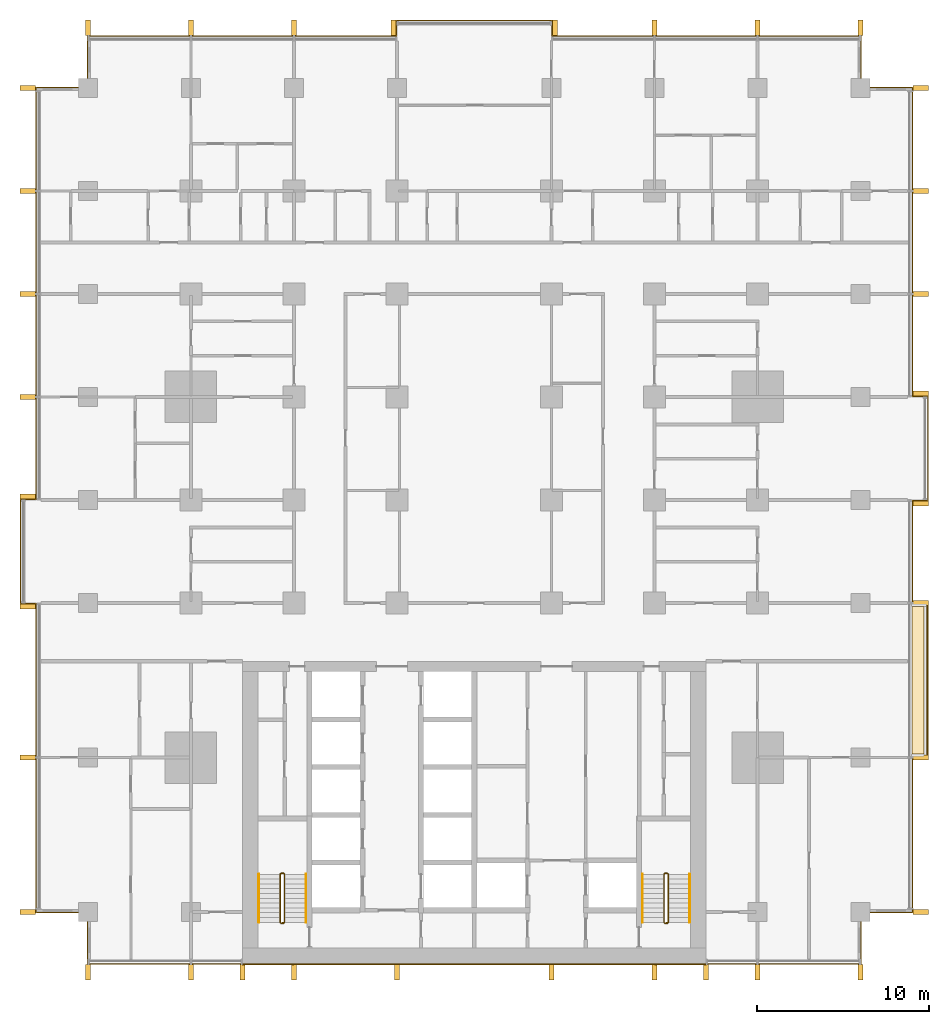
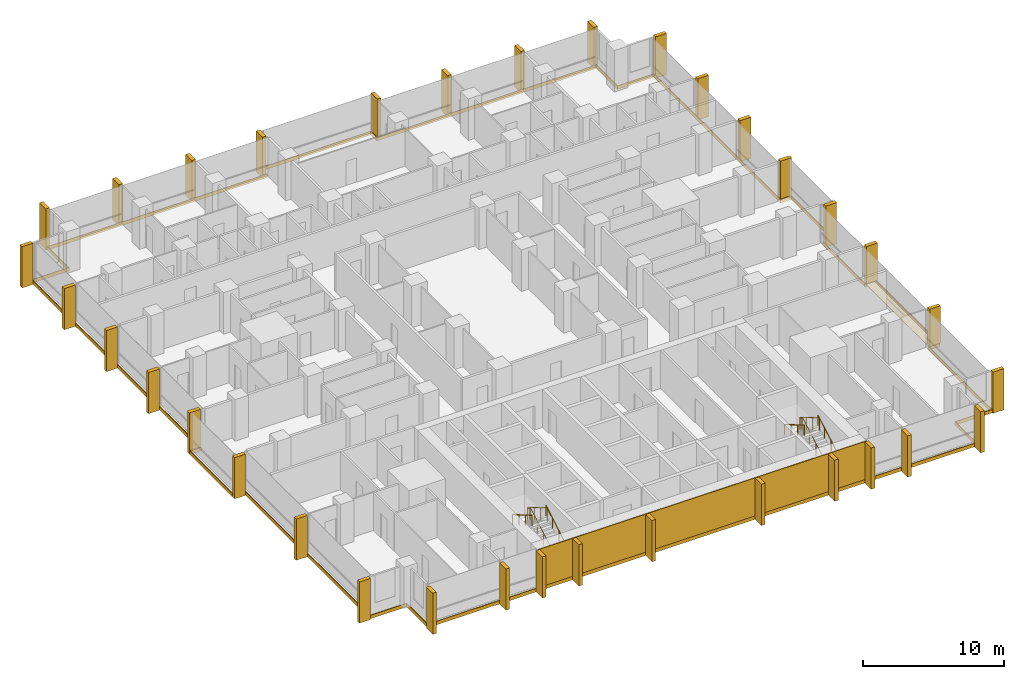
# One storey, part 18 of 18: 34 shading devices, 8 coverings, 6 railings.
"""IFC4 building model written with IfcOpenShell, lengths in metres."""

from ifc_helpers import new_model, si_unit, direction, frame, origin, origin_2d, place, context, subcontext, project, spatial, polyline, rectangle, circle, outline, extrude, material, layer, layer_set, type_object, element, save


model = new_model("IFC4")

# Units and contexts
model_context = context("Model", 3, precision=1e-05, world=origin(), true_north=direction((0.0, 1.0)))
body_context = subcontext(model_context, "Body", "Model", "MODEL_VIEW")
ifc_project = project(units=[si_unit("LENGTHUNIT", "METRE"), si_unit("AREAUNIT", "SQUARE_METRE"), si_unit("VOLUMEUNIT", "CUBIC_METRE"), si_unit("PLANEANGLEUNIT", "RADIAN"), si_unit("MASSUNIT", "GRAM", prefix="KILO")], contexts=[model_context])

# Site, building, storey
site_placement = place(None, origin())
site = spatial("IfcSite", under=ifc_project, at=site_placement, CompositionType="ELEMENT")
building_placement = place(site_placement, origin())
building = spatial("IfcBuilding", under=site, at=building_placement, Name="Finial Court Residences", CompositionType="ELEMENT")
storey_placement = place(building_placement, frame((0.0, 0.0, 50.5)))
storey = spatial("IfcBuildingStorey", under=building, at=storey_placement, Name="L11", CompositionType="ELEMENT", Elevation=50.5)

# Coverings
ifc_material_1 = material(Name="Natural limestone", Category="masonry")
ifc_layer_1 = layer(ifc_material_1, 0.06005859375)
ifc_layer_set_1 = layer_set([ifc_layer_1], Name="Limestone cladding to the blind core face 60")
covering_type_1 = type_object("IfcCoveringType", Name="Limestone cladding to the blind core face 60", PredefinedType="CLADDING", material=ifc_layer_set_1)
covering_1_placement = place(storey_placement, origin())
element("IfcCovering", 1, at=covering_1_placement, inside=storey, type_object=covering_type_1, Name="E-L11-CLAD1", PredefinedType="CLADDING", context=body_context, shape_type="SweptSolid", body=[
    extrude(outline(polyline([(-10.5, -25.56005859375), (-10.5, -25.5), (-13.5, -25.5), (-13.5, -25.56005859375), (-10.5, -25.56005859375)])), origin(), (0.0, 0.0, 1.0), 3.300048828125),
])
covering_2_placement = place(storey_placement, origin())
element("IfcCovering", 2, at=covering_2_placement, inside=storey, type_object=covering_type_1, Name="E-L11-CLAD2", PredefinedType="CLADDING", context=body_context, shape_type="SweptSolid", body=[
    extrude(outline(polyline([(-4.5, -25.56005859375), (-4.5, -25.5), (-10.5, -25.5), (-10.5, -25.56005859375), (-4.5, -25.56005859375)])), origin(), (0.0, 0.0, 1.0), 3.300048828125),
])
covering_3_placement = place(storey_placement, origin())
element("IfcCovering", 3, at=covering_3_placement, inside=storey, type_object=covering_type_1, Name="E-L11-CLAD3", PredefinedType="CLADDING", context=body_context, shape_type="SweptSolid", body=[
    extrude(outline(polyline([(4.5, -25.56005859375), (4.5, -25.5), (-4.5, -25.5), (-4.5, -25.56005859375), (4.5, -25.56005859375)])), origin(), (0.0, 0.0, 1.0), 3.300048828125),
])
covering_4_placement = place(storey_placement, origin())
element("IfcCovering", 4, at=covering_4_placement, inside=storey, type_object=covering_type_1, Name="E-L11-CLAD4", PredefinedType="CLADDING", context=body_context, shape_type="SweptSolid", body=[
    extrude(outline(polyline([(10.5, -25.56005859375), (10.5, -25.5), (4.5, -25.5), (4.5, -25.56005859375), (10.5, -25.56005859375)])), origin(), (0.0, 0.0, 1.0), 3.300048828125),
])
covering_5_placement = place(storey_placement, origin())
element("IfcCovering", 5, at=covering_5_placement, inside=storey, type_object=covering_type_1, Name="E-L11-CLAD5", PredefinedType="CLADDING", context=body_context, shape_type="SweptSolid", body=[
    extrude(outline(polyline([(13.5, -25.56005859375), (13.5, -25.5), (10.5, -25.5), (10.5, -25.56005859375), (13.5, -25.56005859375)])), origin(), (0.0, 0.0, 1.0), 3.300048828125),
])

# Shading devices
shading_device_type = type_object("IfcShadingDeviceType", Name="Limestone fin 300 x 900", PredefinedType="USERDEFINED", material=ifc_material_1)
for number, where, z_axis, x_axis, name in (
    (6, (-22.5, 29.010009765625, -0.300048828125), (0.0, 0.0, 1.0), (1.0, 0.0, 0.0), "E-L11-FIN-N1"),
    (7, (-16.5, 29.010009765625, -0.300048828125), (0.0, 0.0, 1.0), (1.0, 0.0, 0.0), "E-L11-FIN-N2"),
    (8, (-10.5, 29.010009765625, -0.300048828125), (0.0, 0.0, 1.0), (1.0, 0.0, 0.0), "E-L11-FIN-N3"),
    (9, (-4.7099609375, 29.010009765625, -0.300048828125), (0.0, 0.0, 1.0), (1.0, 0.0, 0.0), "E-L11-FIN-N4"),
    (10, (4.7099609375, 29.010009765625, -0.300048828125), (0.0, 0.0, 1.0), (1.0, 0.0, 0.0), "E-L11-FIN-N5"),
    (11, (10.5, 29.010009765625, -0.300048828125), (0.0, 0.0, 1.0), (1.0, 0.0, 0.0), "E-L11-FIN-N6"),
    (12, (16.5, 29.010009765625, -0.300048828125), (0.0, 0.0, 1.0), (1.0, 0.0, 0.0), "E-L11-FIN-N7"),
    (13, (22.5, 29.010009765625, -0.300048828125), (0.0, 0.0, 1.0), (1.0, 0.0, 0.0), "E-L11-FIN-N8"),
):
    element("IfcShadingDevice", number, at=place(storey_placement, frame(where, z_axis=z_axis, x_axis=x_axis)), inside=storey, type_object=shading_device_type, Name=name, ObjectType="FIN", PredefinedType="USERDEFINED", context=body_context, shape_type="SweptSolid", body=[
        extrude(rectangle(XDim=0.300048828125, YDim=0.89990234375, at=origin_2d()), origin(), (0.0, 0.0, 1.0), 3.580078125),
    ])
shading_device_placement = place(storey_placement, frame((26.010009765625, -22.5, -0.300048828125), z_axis=(0.0, 0.0, 1.0), x_axis=(1.0, 0.0, 0.0)))
element("IfcShadingDevice", 14, at=shading_device_placement, inside=storey, type_object=shading_device_type, Name="E-L11-FIN-E9", ObjectType="FIN", PredefinedType="USERDEFINED", context=body_context, shape_type="SweptSolid", body=[
    extrude(rectangle(XDim=0.89990234375, YDim=0.300048828125, at=origin_2d()), origin(), (0.0, 0.0, 1.0), 3.580078125),
])
for number, where, z_axis, x_axis, name in (
    (15, (26.010009765625, -13.5, 0.0400390625), (0.0, 0.0, 1.0), (1.0, 0.0, 0.0), "E-L11-FIN-E10"),
    (16, (26.010009765625, -4.5, 0.0400390625), (0.0, 0.0, 1.0), (1.0, 0.0, 0.0), "E-L11-FIN-E11"),
):
    element("IfcShadingDevice", number, at=place(storey_placement, frame(where, z_axis=z_axis, x_axis=x_axis)), inside=storey, type_object=shading_device_type, Name=name, ObjectType="FIN", PredefinedType="USERDEFINED", context=body_context, shape_type="SweptSolid", body=[
        extrude(rectangle(XDim=0.89990234375, YDim=0.300048828125, at=origin_2d()), origin(), (0.0, 0.0, 1.0), 3.239990234375),
    ])
for number, where, z_axis, x_axis, name in (
    (17, (26.010009765625, 1.2900390625, -0.300048828125), (0.0, 0.0, 1.0), (1.0, 0.0, 0.0), "E-L11-FIN-E12"),
    (18, (26.010009765625, 7.7099609375, -0.300048828125), (0.0, 0.0, 1.0), (1.0, 0.0, 0.0), "E-L11-FIN-E13"),
    (19, (26.010009765625, 13.5, -0.300048828125), (0.0, 0.0, 1.0), (1.0, 0.0, 0.0), "E-L11-FIN-E14"),
    (20, (26.010009765625, 19.5, -0.300048828125), (0.0, 0.0, 1.0), (1.0, 0.0, 0.0), "E-L11-FIN-E15"),
    (21, (26.010009765625, 25.5, -0.300048828125), (0.0, 0.0, 1.0), (1.0, 0.0, 0.0), "E-L11-FIN-E16"),
):
    element("IfcShadingDevice", number, at=place(storey_placement, frame(where, z_axis=z_axis, x_axis=x_axis)), inside=storey, type_object=shading_device_type, Name=name, ObjectType="FIN", PredefinedType="USERDEFINED", context=body_context, shape_type="SweptSolid", body=[
        extrude(rectangle(XDim=0.89990234375, YDim=0.300048828125, at=origin_2d()), origin(), (0.0, 0.0, 1.0), 3.580078125),
    ])
for number, where, z_axis, x_axis, name in (
    (22, (-22.5, -26.010009765625, -0.300048828125), (0.0, 0.0, 1.0), (1.0, 0.0, 0.0), "E-L11-FIN-S17"),
    (23, (-16.5, -26.010009765625, -0.300048828125), (0.0, 0.0, 1.0), (1.0, 0.0, 0.0), "E-L11-FIN-S18"),
    (24, (-13.5, -26.010009765625, -0.300048828125), (0.0, 0.0, 1.0), (1.0, 0.0, 0.0), "E-L11-FIN-S19"),
    (25, (-10.5, -26.010009765625, -0.300048828125), (0.0, 0.0, 1.0), (1.0, 0.0, 0.0), "E-L11-FIN-S20"),
    (26, (-4.5, -26.010009765625, -0.300048828125), (0.0, 0.0, 1.0), (1.0, 0.0, 0.0), "E-L11-FIN-S21"),
    (27, (4.5, -26.010009765625, -0.300048828125), (0.0, 0.0, 1.0), (1.0, 0.0, 0.0), "E-L11-FIN-S22"),
    (28, (10.5, -26.010009765625, -0.300048828125), (0.0, 0.0, 1.0), (1.0, 0.0, 0.0), "E-L11-FIN-S23"),
    (29, (13.5, -26.010009765625, -0.300048828125), (0.0, 0.0, 1.0), (1.0, 0.0, 0.0), "E-L11-FIN-S24"),
    (30, (16.5, -26.010009765625, -0.300048828125), (0.0, 0.0, 1.0), (1.0, 0.0, 0.0), "E-L11-FIN-S25"),
    (31, (22.5, -26.010009765625, -0.300048828125), (0.0, 0.0, 1.0), (1.0, 0.0, 0.0), "E-L11-FIN-S26"),
):
    element("IfcShadingDevice", number, at=place(storey_placement, frame(where, z_axis=z_axis, x_axis=x_axis)), inside=storey, type_object=shading_device_type, Name=name, ObjectType="FIN", PredefinedType="USERDEFINED", context=body_context, shape_type="SweptSolid", body=[
        extrude(rectangle(XDim=0.300048828125, YDim=0.89990234375, at=origin_2d()), origin(), (0.0, 0.0, 1.0), 3.580078125),
    ])
for number, where, z_axis, x_axis, name in (
    (32, (-26.010009765625, -22.5, -0.300048828125), (0.0, 0.0, 1.0), (1.0, 0.0, 0.0), "E-L11-FIN-W27"),
    (33, (-26.010009765625, -13.5, -0.300048828125), (0.0, 0.0, 1.0), (1.0, 0.0, 0.0), "E-L11-FIN-W28"),
    (34, (-26.010009765625, -4.7099609375, -0.300048828125), (0.0, 0.0, 1.0), (1.0, 0.0, 0.0), "E-L11-FIN-W29"),
    (35, (-26.010009765625, 1.7099609375, -0.300048828125), (0.0, 0.0, 1.0), (1.0, 0.0, 0.0), "E-L11-FIN-W30"),
    (36, (-26.010009765625, 7.5, -0.300048828125), (0.0, 0.0, 1.0), (1.0, 0.0, 0.0), "E-L11-FIN-W31"),
    (37, (-26.010009765625, 13.5, -0.300048828125), (0.0, 0.0, 1.0), (1.0, 0.0, 0.0), "E-L11-FIN-W32"),
    (38, (-26.010009765625, 19.5, -0.300048828125), (0.0, 0.0, 1.0), (1.0, 0.0, 0.0), "E-L11-FIN-W33"),
    (39, (-26.010009765625, 25.5, -0.300048828125), (0.0, 0.0, 1.0), (1.0, 0.0, 0.0), "E-L11-FIN-W34"),
):
    element("IfcShadingDevice", number, at=place(storey_placement, frame(where, z_axis=z_axis, x_axis=x_axis)), inside=storey, type_object=shading_device_type, Name=name, ObjectType="FIN", PredefinedType="USERDEFINED", context=body_context, shape_type="SweptSolid", body=[
        extrude(rectangle(XDim=0.89990234375, YDim=0.300048828125, at=origin_2d()), origin(), (0.0, 0.0, 1.0), 3.580078125),
    ])

# Coverings
ifc_material_2 = material(Name="Pale limestone", Category="masonry")
ifc_layer_2 = layer(ifc_material_2, 0.06005859375)
ifc_layer_set_2 = layer_set([ifc_layer_2], Name="Pale limestone slab-edge band 60")
covering_type_2 = type_object("IfcCoveringType", Name="Pale limestone slab-edge band 60", PredefinedType="CLADDING", material=ifc_layer_set_2)
covering_6_placement = place(storey_placement, frame((0.0, 0.0, -0.300048828125)))
element("IfcCovering", 40, at=covering_6_placement, inside=storey, type_object=covering_type_2, Name="E-L11-BAND1", PredefinedType="CLADDING", context=body_context, shape_type="SweptSolid", body=[
    extrude(outline(polyline([(26.4599609375, -13.56005859375), (25.56005859375, -13.56005859375), (25.56005859375, -22.56005859375), (22.56005859375, -22.56005859375), (22.56005859375, -25.56005859375), (-22.56005859375, -25.56005859375), (-22.56005859375, -22.56005859375), (-25.56005859375, -22.56005859375), (-25.56005859375, -4.56005859375), (-26.4599609375, -4.56005859375), (-26.4599609375, 1.56005859375), (-25.56005859375, 1.56005859375), (-25.56005859375, 25.56005859375), (-22.56005859375, 25.56005859375), (-22.56005859375, 28.56005859375), (-4.56005859375, 28.56005859375), (-4.56005859375, 29.4599609375), (4.56005859375, 29.4599609375), (4.56005859375, 28.56005859375), (22.56005859375, 28.56005859375), (22.56005859375, 25.56005859375), (25.56005859375, 25.56005859375), (25.56005859375, 7.56005859375), (26.4599609375, 7.56005859375), (26.4599609375, 1.43994140625), (25.56005859375, 1.43994140625), (25.56005859375, -4.43994140625), (26.4599609375, -4.43994140625), (26.4599609375, -13.56005859375)]), holes=[polyline([(25.5, -4.5), (25.5, 1.5), (26.39990234375, 1.5), (26.39990234375, 7.5), (25.5, 7.5), (25.5, 25.5), (22.5, 25.5), (22.5, 28.5), (4.5, 28.5), (4.5, 29.39990234375), (-4.5, 29.39990234375), (-4.5, 28.5), (-22.5, 28.5), (-22.5, 25.5), (-25.5, 25.5), (-25.5, 1.5), (-26.39990234375, 1.5), (-26.39990234375, -4.5), (-25.5, -4.5), (-25.5, -22.5), (-22.5, -22.5), (-22.5, -25.5), (22.5, -25.5), (22.5, -22.5), (25.5, -22.5), (25.5, -13.5), (26.39990234375, -13.5), (26.39990234375, -4.5), (25.5, -4.5)])]), origin(), (0.0, 0.0, 1.0), 0.300048828125),
])
ifc_material_3 = material(Name="Bitumen membrane")
ifc_layer_3 = layer(ifc_material_3, 0.0400390625)
ifc_layer_set_3 = layer_set([ifc_layer_3], Name="Push box roofing, bitumen membrane 40")
covering_type_3 = type_object("IfcCoveringType", Name="Push box roofing, bitumen membrane 40", PredefinedType="ROOFING", material=ifc_layer_set_3)
covering_7_placement = place(storey_placement, origin())
element("IfcCovering", 41, at=covering_7_placement, inside=storey, type_object=covering_type_3, Name="E-L11-LED1", PredefinedType="ROOFING", context=body_context, shape_type="SweptSolid", body=[
    extrude(outline(polyline([(26.39990234375, -4.5), (26.39990234375, -13.5), (25.5, -13.5), (25.5, -13.449951171875), (26.199951171875, -13.449951171875), (26.35009765625, -13.449951171875), (26.35009765625, -4.699951171875), (26.35009765625, -4.699951171875), (26.35009765625, -4.550048828125), (25.5, -4.550048828125), (25.5, -4.5), (26.39990234375, -4.5)])), origin(), (0.0, 0.0, 1.0), 0.0400390625),
])
covering_8_placement = place(storey_placement, origin())
element("IfcCovering", 42, at=covering_8_placement, inside=storey, type_object=covering_type_3, Name="E-L11-LED1b", PredefinedType="ROOFING", context=body_context, shape_type="SweptSolid", body=[
    extrude(outline(polyline([(25.5, -4.699951171875), (26.199951171875, -4.699951171875), (26.199951171875, -13.300048828125), (25.5, -13.300048828125), (25.5, -4.699951171875)])), origin(), (0.0, 0.0, 1.0), 0.0400390625),
])

# Railings
ifc_material_4 = material(Name="Stainless steel railing", Category="steel")
railing_type_1 = type_object("IfcRailingType", Name="Stair guard 1100", PredefinedType="GUARDRAIL", material=ifc_material_4)
railing_1_placement = place(storey_placement, frame((-11.10009765625, -23.14990234375, 0.0)))
element("IfcRailing", 43, at=railing_1_placement, inside=storey, type_object=railing_type_1, Name="L11 ST-1 stair guard 1", PredefinedType="GUARDRAIL", context=body_context, shape_type="SweptSolid", body=[
    extrude(circle(Radius=0.02392578125, at=origin_2d()), frame((0.0, 0.0, 1.076171875), z_axis=(-1.0, 0.0, 0.0), x_axis=(0.0, -1.0, 0.0)), (0.0, 0.0, 1.0), 0.14990234375),
    extrude(circle(Radius=0.02392578125, at=origin_2d()), frame((-0.14990234375, 0.0, 1.076171875), z_axis=(0.760004195007, 0.189305074214, 0.621737253547), x_axis=(-0.241699205484, 0.970351222016, 0.0)), (0.0, 0.0, 1.0), 0.26318359375),
    extrude(circle(Radius=0.02392578125, at=origin_2d()), frame((0.050048828125, 0.0498046875, 1.23974609375), z_axis=(0.0, 0.863360870873, 0.504586966384), x_axis=(-1.0, 0.0, 0.0)), (0.0, 0.0, 1.0), 3.2431640625),
    extrude(circle(Radius=0.02392578125, at=origin_2d()), frame((0.050048828125, 2.849853515625, 2.8759765625), z_axis=(-0.707106781187, 0.707106781187, 0.0), x_axis=(-0.707106781187, -0.707106781187, 0.0)), (0.0, 0.0, 1.0), 0.07080078125),
    extrude(circle(Radius=0.02392578125, at=origin_2d()), frame((0.0, 2.89990234375, 2.8759765625), z_axis=(-1.0, 0.0, 0.0), x_axis=(0.0, -1.0, 0.0)), (0.0, 0.0, 1.0), 0.14990234375),
    extrude(circle(Radius=0.02392578125, at=origin_2d()), frame((-0.14990234375, 2.89990234375, 2.8759765625), z_axis=(-0.280808744504, -0.280808744504, 0.917765164963), x_axis=(0.707106781187, -0.707106781187, 0.0)), (0.0, 0.0, 1.0), 0.17822265625),
    extrude(circle(Radius=0.02392578125, at=origin_2d()), frame((-0.199951171875, 2.849853515625, 3.03955078125), z_axis=(0.0, -0.863360870873, 0.504586966384), x_axis=(1.0, 0.0, 0.0)), (0.0, 0.0, 1.0), 3.2431640625),
    extrude(circle(Radius=0.02099609375, at=origin_2d()), origin(), (0.0, 0.0, 1.0), 1.052001953125),
    extrude(circle(Radius=0.02099609375, at=origin_2d()), frame((-0.14990234375, 0.0, 0.0)), (0.0, 0.0, 1.0), 1.052001953125),
    extrude(circle(Radius=0.02099609375, at=origin_2d()), frame((0.050048828125, 0.0498046875, 0.16357421875)), (0.0, 0.0, 1.0), 1.052001953125),
    extrude(circle(Radius=0.02099609375, at=origin_2d()), frame((0.050048828125, 0.983154296875, 0.708984375)), (0.0, 0.0, 1.0), 1.052001953125),
    extrude(circle(Radius=0.02099609375, at=origin_2d()), frame((0.050048828125, 1.91650390625, 1.254638671875)), (0.0, 0.0, 1.0), 1.052001953125),
    extrude(circle(Radius=0.02099609375, at=origin_2d()), frame((0.050048828125, 2.849853515625, 1.800048828125)), (0.0, 0.0, 1.0), 1.052001953125),
    extrude(circle(Radius=0.02099609375, at=origin_2d()), frame((0.0, 2.89990234375, 1.800048828125)), (0.0, 0.0, 1.0), 1.052001953125),
    extrude(circle(Radius=0.02099609375, at=origin_2d()), frame((-0.14990234375, 2.89990234375, 1.800048828125)), (0.0, 0.0, 1.0), 1.052001953125),
    extrude(circle(Radius=0.02099609375, at=origin_2d()), frame((-0.199951171875, 2.849853515625, 1.963623046875)), (0.0, 0.0, 1.0), 1.052001953125),
    extrude(circle(Radius=0.02099609375, at=origin_2d()), frame((-0.199951171875, 1.91650390625, 2.509033203125)), (0.0, 0.0, 1.0), 1.052001953125),
    extrude(circle(Radius=0.02099609375, at=origin_2d()), frame((-0.199951171875, 0.983154296875, 3.0546875)), (0.0, 0.0, 1.0), 1.052001953125),
    extrude(circle(Radius=0.02099609375, at=origin_2d()), frame((-0.199951171875, 0.0498046875, 3.60009765625)), (0.0, 0.0, 1.0), 1.052001953125),
])
railing_2_placement = place(storey_placement, frame((11.25, -23.14990234375, 0.0)))
element("IfcRailing", 44, at=railing_2_placement, inside=storey, type_object=railing_type_1, Name="L11 ST-2 stair guard 1", PredefinedType="GUARDRAIL", context=body_context, shape_type="SweptSolid", body=[
    extrude(circle(Radius=0.02392578125, at=origin_2d()), frame((0.0, 0.0, 1.076171875), z_axis=(-1.0, 0.0, 0.0), x_axis=(0.0, -1.0, 0.0)), (0.0, 0.0, 1.0), 0.14990234375),
    extrude(circle(Radius=0.02392578125, at=origin_2d()), frame((-0.14990234375, 0.0, 1.076171875), z_axis=(0.760004195007, 0.189305074214, 0.621737253547), x_axis=(-0.241699205484, 0.970351222016, 0.0)), (0.0, 0.0, 1.0), 0.26318359375),
    extrude(circle(Radius=0.02392578125, at=origin_2d()), frame((0.050048828125, 0.0498046875, 1.23974609375), z_axis=(0.0, 0.863360870873, 0.504586966384), x_axis=(-1.0, 0.0, 0.0)), (0.0, 0.0, 1.0), 3.2431640625),
    extrude(circle(Radius=0.02392578125, at=origin_2d()), frame((0.050048828125, 2.849853515625, 2.8759765625), z_axis=(-0.707106781187, 0.707106781187, 0.0), x_axis=(-0.707106781187, -0.707106781187, 0.0)), (0.0, 0.0, 1.0), 0.07080078125),
    extrude(circle(Radius=0.02392578125, at=origin_2d()), frame((0.0, 2.89990234375, 2.8759765625), z_axis=(-1.0, 0.0, 0.0), x_axis=(0.0, -1.0, 0.0)), (0.0, 0.0, 1.0), 0.14990234375),
    extrude(circle(Radius=0.02392578125, at=origin_2d()), frame((-0.14990234375, 2.89990234375, 2.8759765625), z_axis=(-0.280808744504, -0.280808744504, 0.917765164963), x_axis=(0.707106781187, -0.707106781187, 0.0)), (0.0, 0.0, 1.0), 0.17822265625),
    extrude(circle(Radius=0.02392578125, at=origin_2d()), frame((-0.199951171875, 2.849853515625, 3.03955078125), z_axis=(0.0, -0.863360870873, 0.504586966384), x_axis=(1.0, 0.0, 0.0)), (0.0, 0.0, 1.0), 3.2431640625),
    extrude(circle(Radius=0.02099609375, at=origin_2d()), origin(), (0.0, 0.0, 1.0), 1.052001953125),
    extrude(circle(Radius=0.02099609375, at=origin_2d()), frame((-0.14990234375, 0.0, 0.0)), (0.0, 0.0, 1.0), 1.052001953125),
    extrude(circle(Radius=0.02099609375, at=origin_2d()), frame((0.050048828125, 0.0498046875, 0.16357421875)), (0.0, 0.0, 1.0), 1.052001953125),
    extrude(circle(Radius=0.02099609375, at=origin_2d()), frame((0.050048828125, 0.983154296875, 0.708984375)), (0.0, 0.0, 1.0), 1.052001953125),
    extrude(circle(Radius=0.02099609375, at=origin_2d()), frame((0.050048828125, 1.91650390625, 1.254638671875)), (0.0, 0.0, 1.0), 1.052001953125),
    extrude(circle(Radius=0.02099609375, at=origin_2d()), frame((0.050048828125, 2.849853515625, 1.800048828125)), (0.0, 0.0, 1.0), 1.052001953125),
    extrude(circle(Radius=0.02099609375, at=origin_2d()), frame((0.0, 2.89990234375, 1.800048828125)), (0.0, 0.0, 1.0), 1.052001953125),
    extrude(circle(Radius=0.02099609375, at=origin_2d()), frame((-0.14990234375, 2.89990234375, 1.800048828125)), (0.0, 0.0, 1.0), 1.052001953125),
    extrude(circle(Radius=0.02099609375, at=origin_2d()), frame((-0.199951171875, 2.849853515625, 1.963623046875)), (0.0, 0.0, 1.0), 1.052001953125),
    extrude(circle(Radius=0.02099609375, at=origin_2d()), frame((-0.199951171875, 1.91650390625, 2.509033203125)), (0.0, 0.0, 1.0), 1.052001953125),
    extrude(circle(Radius=0.02099609375, at=origin_2d()), frame((-0.199951171875, 0.983154296875, 3.0546875)), (0.0, 0.0, 1.0), 1.052001953125),
    extrude(circle(Radius=0.02099609375, at=origin_2d()), frame((-0.199951171875, 0.0498046875, 3.60009765625)), (0.0, 0.0, 1.0), 1.052001953125),
])
railing_type_2 = type_object("IfcRailingType", Name="Stair handrail 900", PredefinedType="HANDRAIL", material=ifc_material_4)
railing_3_placement = place(storey_placement, frame((-9.800048828125, -23.10009765625, 0.16357421875)))
element("IfcRailing", 45, at=railing_3_placement, inside=storey, type_object=railing_type_2, Name="L11 ST-1 stair handrail 1", PredefinedType="HANDRAIL", context=body_context, shape_type="SweptSolid", body=[
    extrude(circle(Radius=0.02392578125, at=origin_2d()), frame((0.0, 0.0, 0.8759765625), z_axis=(0.0, 0.863360870873, 0.504586966384), x_axis=(-1.0, 0.0, 0.0)), (0.0, 0.0, 1.0), 3.2431640625),
    extrude(circle(Radius=0.02099609375, at=origin_2d()), origin(), (0.0, 0.0, 1.0), 0.851806640625),
    extrude(circle(Radius=0.02099609375, at=origin_2d()), frame((0.0, 0.933349609375, 0.54541015625)), (0.0, 0.0, 1.0), 0.851806640625),
    extrude(circle(Radius=0.02099609375, at=origin_2d()), frame((0.0, 1.86669921875, 1.091064453125)), (0.0, 0.0, 1.0), 0.851806640625),
    extrude(circle(Radius=0.02099609375, at=origin_2d()), frame((0.0, 2.800048828125, 1.636474609375)), (0.0, 0.0, 1.0), 0.851806640625),
])
railing_4_placement = place(storey_placement, frame((-12.550048828125, -20.300048828125, 1.963623046875)))
element("IfcRailing", 46, at=railing_4_placement, inside=storey, type_object=railing_type_2, Name="L11 ST-1 stair handrail 2", PredefinedType="HANDRAIL", context=body_context, shape_type="SweptSolid", body=[
    extrude(circle(Radius=0.02392578125, at=origin_2d()), frame((0.0, 0.0, 0.8759765625), z_axis=(0.0, -0.863360870873, 0.504586966384), x_axis=(1.0, 0.0, 0.0)), (0.0, 0.0, 1.0), 3.2431640625),
    extrude(circle(Radius=0.02099609375, at=origin_2d()), origin(), (0.0, 0.0, 1.0), 0.851806640625),
    extrude(circle(Radius=0.02099609375, at=origin_2d()), frame((0.0, -0.933349609375, 0.54541015625)), (0.0, 0.0, 1.0), 0.851806640625),
    extrude(circle(Radius=0.02099609375, at=origin_2d()), frame((0.0, -1.86669921875, 1.091064453125)), (0.0, 0.0, 1.0), 0.851806640625),
    extrude(circle(Radius=0.02099609375, at=origin_2d()), frame((0.0, -2.800048828125, 1.636474609375)), (0.0, 0.0, 1.0), 0.851806640625),
])
railing_5_placement = place(storey_placement, frame((12.550048828125, -23.10009765625, 0.16357421875)))
element("IfcRailing", 47, at=railing_5_placement, inside=storey, type_object=railing_type_2, Name="L11 ST-2 stair handrail 1", PredefinedType="HANDRAIL", context=body_context, shape_type="SweptSolid", body=[
    extrude(circle(Radius=0.02392578125, at=origin_2d()), frame((0.0, 0.0, 0.8759765625), z_axis=(0.0, 0.863360870873, 0.504586966384), x_axis=(-1.0, 0.0, 0.0)), (0.0, 0.0, 1.0), 3.2431640625),
    extrude(circle(Radius=0.02099609375, at=origin_2d()), origin(), (0.0, 0.0, 1.0), 0.851806640625),
    extrude(circle(Radius=0.02099609375, at=origin_2d()), frame((0.0, 0.933349609375, 0.54541015625)), (0.0, 0.0, 1.0), 0.851806640625),
    extrude(circle(Radius=0.02099609375, at=origin_2d()), frame((0.0, 1.86669921875, 1.091064453125)), (0.0, 0.0, 1.0), 0.851806640625),
    extrude(circle(Radius=0.02099609375, at=origin_2d()), frame((0.0, 2.800048828125, 1.636474609375)), (0.0, 0.0, 1.0), 0.851806640625),
])
railing_6_placement = place(storey_placement, frame((9.800048828125, -20.300048828125, 1.963623046875)))
element("IfcRailing", 48, at=railing_6_placement, inside=storey, type_object=railing_type_2, Name="L11 ST-2 stair handrail 2", PredefinedType="HANDRAIL", context=body_context, shape_type="SweptSolid", body=[
    extrude(circle(Radius=0.02392578125, at=origin_2d()), frame((0.0, 0.0, 0.8759765625), z_axis=(0.0, -0.863360870873, 0.504586966384), x_axis=(1.0, 0.0, 0.0)), (0.0, 0.0, 1.0), 3.2431640625),
    extrude(circle(Radius=0.02099609375, at=origin_2d()), origin(), (0.0, 0.0, 1.0), 0.851806640625),
    extrude(circle(Radius=0.02099609375, at=origin_2d()), frame((0.0, -0.933349609375, 0.54541015625)), (0.0, 0.0, 1.0), 0.851806640625),
    extrude(circle(Radius=0.02099609375, at=origin_2d()), frame((0.0, -1.86669921875, 1.091064453125)), (0.0, 0.0, 1.0), 0.851806640625),
    extrude(circle(Radius=0.02099609375, at=origin_2d()), frame((0.0, -2.800048828125, 1.636474609375)), (0.0, 0.0, 1.0), 0.851806640625),
])

save(model, "model.ifc")
